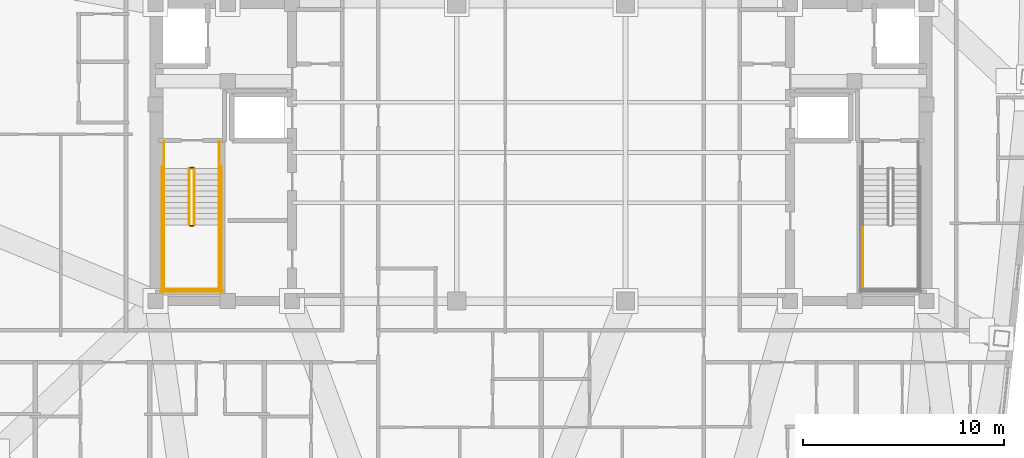
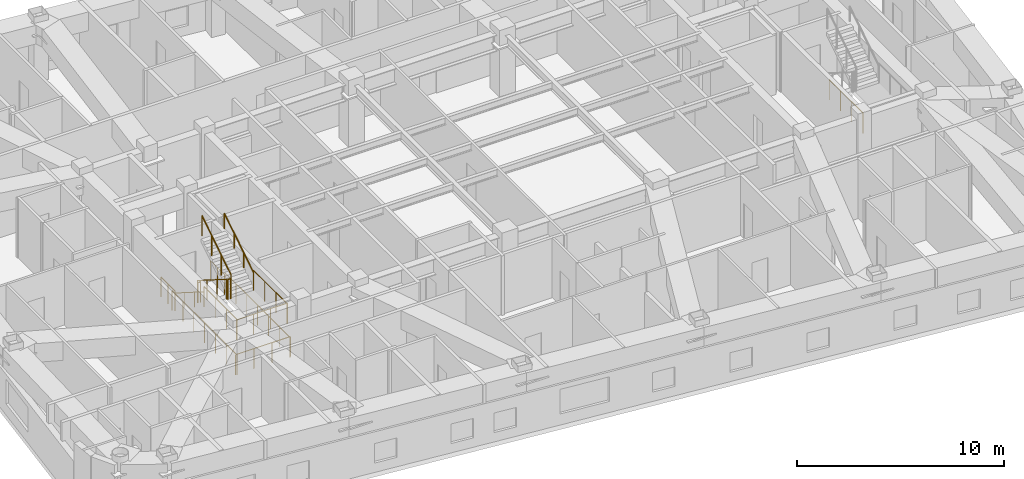
# One storey, part 11 of 12: 15 railings.
"""IFC4 building model written with IfcOpenShell, lengths in metres."""

import ifcopenshell
import ifcopenshell.guid

model = None  # the IFC model being written
_history = None  # IfcOwnerHistory: only IFC2X3 demands one
_inside = {}  # id of a spatial element -> (the spatial element, [elements in it])
_under = {}  # id of a project, library or spatial element -> (it, [spatial elements below it])
_declared = {}  # id of a project -> (the project, [libraries it declares])
_typed = {}  # id of a type object -> (the type object, [elements of that type])
_made_of = {}  # id of a material, layer set ... -> (it, [elements and type objects made of it])


def new_model(schema):
    """Start an empty IFC model of exactly this schema.

    Asked for "IFC4X3", IfcOpenShell would pick the latest addendum, in which some entities
    have other attributes; the version numbers below select the first issue.
    IFC2X3 requires an IfcOwnerHistory on every rooted entity: one is made here for all.
    """
    global model, _history
    if schema == "IFC4X3":
        model = ifcopenshell.file(schema_version=(4, 3, 0, 0))
    else:
        model = ifcopenshell.file(schema=schema)
    _inside.clear()
    _under.clear()
    _declared.clear()
    _typed.clear()
    _made_of.clear()
    _history = None
    if model.schema == "IFC2X3":
        org = make("IfcOrganization", Name="unknown")
        user = make(
            "IfcPersonAndOrganization",
            ThePerson=make("IfcPerson", FamilyName="unknown"),
            TheOrganization=org,
        )
        app = make(
            "IfcApplication",
            ApplicationDeveloper=org,
            Version="unknown",
            ApplicationFullName="unknown",
            ApplicationIdentifier="unknown",
        )
        _history = make(
            "IfcOwnerHistory",
            OwningUser=user,
            OwningApplication=app,
            ChangeAction="ADDED",
            CreationDate=0,
        )
    return model


def make(cls, **values):
    """One entity of the class cls with the attributes given. An attribute that is None is left unset."""
    return model.create_entity(
        cls, **{name: value for name, value in values.items() if value is not None}
    )


def rooted(cls, **values):
    """An entity with a GlobalId (a new one), such as an element, a storey or a relation."""
    return make(cls, GlobalId=ifcopenshell.guid.new(), OwnerHistory=_history, **values)


def si_unit(unit_type, name, prefix=None):
    """IfcSIUnit, for example si_unit("LENGTHUNIT", "METRE", prefix="MILLI")."""
    return make("IfcSIUnit", UnitType=unit_type, Prefix=prefix, Name=name)


def assignment(units):
    """IfcUnitAssignment: the units of a project."""
    return None if units is None else make("IfcUnitAssignment", Units=units)


def point(xyz):
    """IfcCartesianPoint."""
    return None if xyz is None else make("IfcCartesianPoint", Coordinates=xyz)


def direction(xyz):
    """IfcDirection."""
    return None if xyz is None else make("IfcDirection", DirectionRatios=xyz)


def frame(location, z_axis=None, x_axis=None):
    """IfcAxis2Placement3D, a coordinate frame: its origin and axes. An axis left out is left unset."""
    return make(
        "IfcAxis2Placement3D",
        Location=point(location),
        Axis=direction(z_axis),
        RefDirection=direction(x_axis),
    )


def frame_2d(location, x_axis=None):
    """IfcAxis2Placement2D, a coordinate frame in the plane: its origin and x axis."""
    return make(
        "IfcAxis2Placement2D", Location=point(location), RefDirection=direction(x_axis)
    )


def origin():
    """The frame at (0, 0, 0) with its axes left unset."""
    return frame((0.0, 0.0, 0.0))


def origin_2d():
    """The frame at (0, 0) in the plane with its x axis left unset."""
    return frame_2d((0.0, 0.0))


def place(relative_to, where):
    """IfcLocalPlacement: puts the frame where relative to a parent placement (None: the world)."""
    return make(
        "IfcLocalPlacement", PlacementRelTo=relative_to, RelativePlacement=where
    )


def context(
    kind, dimensions, precision=None, world=None, true_north=None, identifier=None
):
    """IfcGeometricRepresentationContext, for example the 3D "Model" context."""
    return make(
        "IfcGeometricRepresentationContext",
        ContextIdentifier=identifier,
        ContextType=kind,
        CoordinateSpaceDimension=dimensions,
        Precision=precision,
        WorldCoordinateSystem=world,
        TrueNorth=true_north,
    )


def subcontext(parent, identifier, kind, view, scale=None):
    """IfcGeometricRepresentationSubContext, for example "Body" below "Model"."""
    return make(
        "IfcGeometricRepresentationSubContext",
        ContextIdentifier=identifier,
        ContextType=kind,
        ParentContext=parent,
        TargetScale=scale,
        TargetView=view,
    )


def project(units=None, contexts=None):
    """IfcProject with its units and contexts."""
    return rooted(
        "IfcProject",
        Name="project",
        RepresentationContexts=contexts,
        UnitsInContext=assignment(units),
    )


def spatial(cls, under=None, at=None, **own):
    """A site, building, storey or space (cls), placed at a placement, below another one or the project."""
    s = rooted(cls, ObjectPlacement=at, **own)
    if under is not None:
        _under.setdefault(under.id(), (under, []))[1].append(s)
    return s


def profile(cls, at=None, kind="AREA", **sizes):
    """A parametric profile (cls). Its sizes go by their IFC names, for example OverallWidth=200.0."""
    return make(cls, ProfileType=kind, Position=at, **sizes)


def circle(**sizes):
    """IfcCircleProfileDef."""
    return profile("IfcCircleProfileDef", **sizes)


def extrude(swept, where, along, depth):
    """IfcExtrudedAreaSolid: the profile swept, set in the frame where, extruded along a direction by depth."""
    return make(
        "IfcExtrudedAreaSolid",
        SweptArea=swept,
        Position=where,
        ExtrudedDirection=direction(along),
        Depth=depth,
    )


def shape(context_of_items, identifier, shape_type, items):
    """IfcShapeRepresentation: the items that make up one representation, for example the "Body"."""
    return make(
        "IfcShapeRepresentation",
        ContextOfItems=context_of_items,
        RepresentationIdentifier=identifier,
        RepresentationType=shape_type,
        Items=items,
    )


def material(Name=None, Category=None):
    """IfcMaterial."""
    return make("IfcMaterial", Name=Name, Category=Category)


def made_of(thing, what):
    """Note that an element or type object is made of a material, layer set ...; save() writes the relation."""
    if what is not None:
        _made_of.setdefault(what.id(), (what, []))[1].append(thing)
    return thing


def type_object(cls, material=None, **own):
    """A type object (cls), such as IfcWallType, which elements share."""
    return made_of(rooted(cls, **own), material)


def element(
    cls,
    number,
    at=None,
    inside=None,
    cuts=None,
    type_object=None,
    material=None,
    context=None,
    identifier="Body",
    shape_type=None,
    held_by="IfcProductDefinitionShape",
    body=None,
    shapes=None,
    **own,
):
    """One element of the class cls, such as IfcWall. Its Tag is "e" and its number.

    at: its placement. inside: the storey or other place that contains it. cuts: it is an
    opening in that element (IfcRelVoidsElement). A single representation is given by context,
    identifier, shape_type and body (its items); several are given by shapes. held_by: the class
    of the entity that holds the representations. save() writes the other relations.
    """
    e = rooted(cls, Tag="e%d" % number, ObjectPlacement=at, **own)
    if body is not None:
        shapes = [shape(context, identifier, shape_type, body)]
    if shapes is not None:
        e.Representation = make(held_by, Representations=shapes)
    if inside is not None:
        _inside.setdefault(inside.id(), (inside, []))[1].append(e)
    if cuts is not None:
        rooted(
            "IfcRelVoidsElement", RelatingBuildingElement=cuts, RelatedOpeningElement=e
        )
    if type_object is not None:
        _typed.setdefault(type_object.id(), (type_object, []))[1].append(e)
    return made_of(e, material)


def aggregate(whole, parts):
    """IfcRelAggregates: a whole, such as a stair, and the parts it consists of."""
    return rooted("IfcRelAggregates", RelatingObject=whole, RelatedObjects=parts)


def save(model, path):
    """Write the relations noted so far, then the file.

    IfcRelAggregates (storeys below a building ...), IfcRelContainedInSpatialStructure (elements
    in a storey), IfcRelDefinesByType, IfcRelAssociatesMaterial and IfcRelDeclares: one each for
    every whole, place, type object, material and project.
    """
    for whole, parts in _under.values():
        aggregate(whole, parts)
    for where, things in _inside.values():
        rooted(
            "IfcRelContainedInSpatialStructure",
            RelatedElements=things,
            RelatingStructure=where,
        )
    for kind, things in _typed.values():
        rooted("IfcRelDefinesByType", RelatedObjects=things, RelatingType=kind)
    for what, things in _made_of.values():
        rooted("IfcRelAssociatesMaterial", RelatedObjects=things, RelatingMaterial=what)
    for by, libraries in _declared.values():
        rooted("IfcRelDeclares", RelatingContext=by, RelatedDefinitions=libraries)
    model.write(path)


model = new_model("IFC4")

# Units and contexts
model_context = context("Model", 3, precision=1e-05, world=origin(), true_north=direction((0.0, 1.0)))
body_context = subcontext(model_context, "Body", "Model", "MODEL_VIEW")
ifc_project = project(units=[si_unit("LENGTHUNIT", "METRE"), si_unit("AREAUNIT", "SQUARE_METRE"), si_unit("VOLUMEUNIT", "CUBIC_METRE"), si_unit("PLANEANGLEUNIT", "RADIAN"), si_unit("MASSUNIT", "GRAM", prefix="KILO")], contexts=[model_context])

# Site, building, storey
site_placement = place(None, origin())
site = spatial("IfcSite", under=ifc_project, at=site_placement, CompositionType="ELEMENT")
building_placement = place(site_placement, origin())
building = spatial("IfcBuilding", under=site, at=building_placement, Name="Voryun Gate Residences", CompositionType="ELEMENT")
storey_placement = place(building_placement, frame((0.0, 0.0, 306.800048828125)))
storey = spatial("IfcBuildingStorey", under=building, at=storey_placement, Name="L76", CompositionType="ELEMENT", Elevation=306.800048828125)

# Railings
ifc_material_1 = material(Name="Painted steel", Category="steel")
railing_type_1 = type_object("IfcRailingType", Name="RAIL_STAIR_GUARD_1200", PredefinedType="GUARDRAIL", material=ifc_material_1)
railing_1_placement = place(storey_placement, frame((-17.52490234375, -0.800048828125, 0.17724609375)))
element("IfcRailing", 1, at=railing_1_placement, inside=storey, type_object=railing_type_1, Name="L76 ST-W1 stair guard 1", PredefinedType="GUARDRAIL", context=body_context, shape_type="SweptSolid", body=[
    extrude(circle(Radius=0.02392578125, at=origin_2d()), frame((0.0, 0.0, 1.17578125), z_axis=(0.0, -0.844908973607, 0.534910110503), x_axis=(1.0, 0.0, 0.0)), (0.0, 0.0, 1.0), 3.31396484375),
    extrude(circle(Radius=0.02099609375, at=origin_2d()), origin(), (0.0, 0.0, 1.0), 1.15185546875),
    extrude(circle(Radius=0.02099609375, at=origin_2d()), frame((0.0, -0.933349609375, 0.5908203125)), (0.0, 0.0, 1.0), 1.15185546875),
    extrude(circle(Radius=0.02099609375, at=origin_2d()), frame((0.0, -1.86669921875, 1.181884765625)), (0.0, 0.0, 1.0), 1.15185546875),
    extrude(circle(Radius=0.02099609375, at=origin_2d()), frame((0.0, -2.800048828125, 1.772705078125)), (0.0, 0.0, 1.0), 1.15185546875),
])
railing_2_placement = place(storey_placement, frame((-17.47509765625, -3.64990234375, 1.949951171875)))
element("IfcRailing", 2, at=railing_2_placement, inside=storey, type_object=railing_type_1, Name="L76 ST-W1 stair guard 2", PredefinedType="GUARDRAIL", context=body_context, shape_type="SweptSolid", body=[
    extrude(circle(Radius=0.02392578125, at=origin_2d()), frame((0.0, 0.0, 1.17578125), z_axis=(1.0, 0.0, 0.0), x_axis=(0.0, 1.0, 0.0)), (0.0, 0.0, 1.0), 0.150146484375),
    extrude(circle(Radius=0.02099609375, at=origin_2d()), origin(), (0.0, 0.0, 1.0), 1.15185546875),
    extrude(circle(Radius=0.02099609375, at=origin_2d()), frame((0.150146484375, 0.0, 0.0)), (0.0, 0.0, 1.0), 1.15185546875),
])
for number, where, name in (
    (3, (-18.77490234375, -3.60009765625, 1.949951171875), "L76 ST-W1 stair guard 3"),
    (4, (-16.02490234375, -3.60009765625, 1.949951171875), "L76 ST-W1 stair guard 4"),
):
    element("IfcRailing", number, at=place(storey_placement, frame(where)), inside=storey, type_object=railing_type_1, Name=name, PredefinedType="GUARDRAIL", context=body_context, shape_type="SweptSolid", body=[
        extrude(circle(Radius=0.02392578125, at=origin_2d()), frame((0.0, 0.0, 1.17578125), z_axis=(0.0, -1.0, 0.0), x_axis=(1.0, 0.0, 0.0)), (0.0, 0.0, 1.0), 3.25),
        extrude(circle(Radius=0.02099609375, at=origin_2d()), origin(), (0.0, 0.0, 1.0), 1.15185546875),
        extrude(circle(Radius=0.02099609375, at=origin_2d()), frame((0.0, -1.083251953125, 0.0)), (0.0, 0.0, 1.0), 1.15185546875),
        extrude(circle(Radius=0.02099609375, at=origin_2d()), frame((0.0, -2.166748046875, 0.0)), (0.0, 0.0, 1.0), 1.15185546875),
        extrude(circle(Radius=0.02099609375, at=origin_2d()), frame((0.0, -3.25, 0.0)), (0.0, 0.0, 1.0), 1.15185546875),
    ])
railing_3_placement = place(storey_placement, frame((-18.824951171875, -6.800048828125, 1.949951171875)))
element("IfcRailing", 5, at=railing_3_placement, inside=storey, type_object=railing_type_1, Name="L76 ST-W1 stair guard 5", PredefinedType="GUARDRAIL", context=body_context, shape_type="SweptSolid", body=[
    extrude(circle(Radius=0.02392578125, at=origin_2d()), frame((0.0, 0.0, 1.17578125), z_axis=(1.0, 0.0, 0.0), x_axis=(0.0, 1.0, 0.0)), (0.0, 0.0, 1.0), 2.849853515625),
    extrude(circle(Radius=0.02099609375, at=origin_2d()), origin(), (0.0, 0.0, 1.0), 1.15185546875),
    extrude(circle(Radius=0.02099609375, at=origin_2d()), frame((0.949951171875, 0.0, 0.0)), (0.0, 0.0, 1.0), 1.15185546875),
    extrude(circle(Radius=0.02099609375, at=origin_2d()), frame((1.89990234375, 0.0, 0.0)), (0.0, 0.0, 1.0), 1.15185546875),
    extrude(circle(Radius=0.02099609375, at=origin_2d()), frame((2.849853515625, 0.0, 0.0)), (0.0, 0.0, 1.0), 1.15185546875),
])
railing_4_placement = place(storey_placement, frame((-17.27490234375, -3.60009765625, 2.127197265625)))
element("IfcRailing", 6, at=railing_4_placement, inside=storey, type_object=railing_type_1, Name="L76 ST-W1 stair guard 6", PredefinedType="GUARDRAIL", context=body_context, shape_type="SweptSolid", body=[
    extrude(circle(Radius=0.02392578125, at=origin_2d()), frame((0.0, 0.0, 1.17578125), z_axis=(0.0, 0.844908973607, 0.534910110503), x_axis=(-1.0, 0.0, 0.0)), (0.0, 0.0, 1.0), 3.31396484375),
    extrude(circle(Radius=0.02099609375, at=origin_2d()), origin(), (0.0, 0.0, 1.0), 1.15185546875),
    extrude(circle(Radius=0.02099609375, at=origin_2d()), frame((0.0, 0.933349609375, 0.5908203125)), (0.0, 0.0, 1.0), 1.15185546875),
    extrude(circle(Radius=0.02099609375, at=origin_2d()), frame((0.0, 1.86669921875, 1.181884765625)), (0.0, 0.0, 1.0), 1.15185546875),
    extrude(circle(Radius=0.02099609375, at=origin_2d()), frame((0.0, 2.800048828125, 1.772705078125)), (0.0, 0.0, 1.0), 1.15185546875),
])
railing_5_placement = place(storey_placement, frame((-17.47509765625, -0.75, 0.0)))
element("IfcRailing", 7, at=railing_5_placement, inside=storey, type_object=railing_type_1, Name="L76 ST-W1 stair guard 7", PredefinedType="GUARDRAIL", context=body_context, shape_type="SweptSolid", body=[
    extrude(circle(Radius=0.02392578125, at=origin_2d()), frame((0.0, 0.0, 1.17578125), z_axis=(1.0, 0.0, 0.0), x_axis=(0.0, 1.0, 0.0)), (0.0, 0.0, 1.0), 0.150146484375),
    extrude(circle(Radius=0.02099609375, at=origin_2d()), origin(), (0.0, 0.0, 1.0), 1.15185546875),
    extrude(circle(Radius=0.02099609375, at=origin_2d()), frame((0.150146484375, 0.0, 0.0)), (0.0, 0.0, 1.0), 1.15185546875),
])
for number, where, name in (
    (8, (-18.77490234375, 0.550048828125, 0.0), "L76 ST-W1 stair guard 8"),
    (9, (-16.02490234375, 0.550048828125, 0.0), "L76 ST-W1 stair guard 9"),
):
    element("IfcRailing", number, at=place(storey_placement, frame(where)), inside=storey, type_object=railing_type_1, Name=name, PredefinedType="GUARDRAIL", context=body_context, shape_type="SweptSolid", body=[
        extrude(circle(Radius=0.02392578125, at=origin_2d()), frame((0.0, 0.0, 1.17578125), z_axis=(0.0, -1.0, 0.0), x_axis=(1.0, 0.0, 0.0)), (0.0, 0.0, 1.0), 1.35009765625),
        extrude(circle(Radius=0.02099609375, at=origin_2d()), origin(), (0.0, 0.0, 1.0), 1.15185546875),
        extrude(circle(Radius=0.02099609375, at=origin_2d()), frame((0.0, -0.675048828125, 0.0)), (0.0, 0.0, 1.0), 1.15185546875),
        extrude(circle(Radius=0.02099609375, at=origin_2d()), frame((0.0, -1.35009765625, 0.0)), (0.0, 0.0, 1.0), 1.15185546875),
    ])
for number, where, name in (
    (10, (-18.875, -0.699951171875, 0.0), "L76 ST-W1 stair guard 10"),
    (11, (-15.925048828125, -0.699951171875, 0.0), "L76 ST-W1 stair guard 11"),
):
    element("IfcRailing", number, at=place(storey_placement, frame(where)), inside=storey, type_object=railing_type_1, Name=name, PredefinedType="GUARDRAIL", context=body_context, shape_type="SweptSolid", body=[
        extrude(circle(Radius=0.02392578125, at=origin_2d()), frame((0.0, 0.0, 1.17578125), z_axis=(0.0, -1.0, 0.0), x_axis=(1.0, 0.0, 0.0)), (0.0, 0.0, 1.0), 6.25),
        extrude(circle(Radius=0.02099609375, at=origin_2d()), origin(), (0.0, 0.0, 1.0), 1.15185546875),
        extrude(circle(Radius=0.02099609375, at=origin_2d()), frame((0.0, -1.041748046875, 0.0)), (0.0, 0.0, 1.0), 1.15185546875),
        extrude(circle(Radius=0.02099609375, at=origin_2d()), frame((0.0, -2.083251953125, 0.0)), (0.0, 0.0, 1.0), 1.15185546875),
        extrude(circle(Radius=0.02099609375, at=origin_2d()), frame((0.0, -3.125, 0.0)), (0.0, 0.0, 1.0), 1.15185546875),
        extrude(circle(Radius=0.02099609375, at=origin_2d()), frame((0.0, -4.166748046875, 0.0)), (0.0, 0.0, 1.0), 1.15185546875),
        extrude(circle(Radius=0.02099609375, at=origin_2d()), frame((0.0, -5.208251953125, 0.0)), (0.0, 0.0, 1.0), 1.15185546875),
        extrude(circle(Radius=0.02099609375, at=origin_2d()), frame((0.0, -6.25, 0.0)), (0.0, 0.0, 1.0), 1.15185546875),
    ])
railing_6_placement = place(storey_placement, frame((-18.925048828125, -6.89990234375, 0.0)))
element("IfcRailing", 12, at=railing_6_placement, inside=storey, type_object=railing_type_1, Name="L76 ST-W1 stair guard 12", PredefinedType="GUARDRAIL", context=body_context, shape_type="SweptSolid", body=[
    extrude(circle(Radius=0.02392578125, at=origin_2d()), frame((0.0, 0.0, 1.17578125), z_axis=(1.0, 0.0, 0.0), x_axis=(0.0, 1.0, 0.0)), (0.0, 0.0, 1.0), 3.050048828125),
    extrude(circle(Radius=0.02099609375, at=origin_2d()), origin(), (0.0, 0.0, 1.0), 1.15185546875),
    extrude(circle(Radius=0.02099609375, at=origin_2d()), frame((1.0166015625, 0.0, 0.0)), (0.0, 0.0, 1.0), 1.15185546875),
    extrude(circle(Radius=0.02099609375, at=origin_2d()), frame((2.033447265625, 0.0, 0.0)), (0.0, 0.0, 1.0), 1.15185546875),
    extrude(circle(Radius=0.02099609375, at=origin_2d()), frame((3.050048828125, 0.0, 0.0)), (0.0, 0.0, 1.0), 1.15185546875),
])
railing_7_placement = place(storey_placement, frame((16.02490234375, -3.60009765625, 1.949951171875)))
element("IfcRailing", 13, at=railing_7_placement, inside=storey, type_object=railing_type_1, Name="L76 ST-E1 stair guard 3", PredefinedType="GUARDRAIL", context=body_context, shape_type="SweptSolid", body=[
    extrude(circle(Radius=0.02392578125, at=origin_2d()), frame((0.0, 0.0, 1.17578125), z_axis=(0.0, -1.0, 0.0), x_axis=(1.0, 0.0, 0.0)), (0.0, 0.0, 1.0), 3.25),
    extrude(circle(Radius=0.02099609375, at=origin_2d()), origin(), (0.0, 0.0, 1.0), 1.15185546875),
    extrude(circle(Radius=0.02099609375, at=origin_2d()), frame((0.0, -1.083251953125, 0.0)), (0.0, 0.0, 1.0), 1.15185546875),
    extrude(circle(Radius=0.02099609375, at=origin_2d()), frame((0.0, -2.166748046875, 0.0)), (0.0, 0.0, 1.0), 1.15185546875),
    extrude(circle(Radius=0.02099609375, at=origin_2d()), frame((0.0, -3.25, 0.0)), (0.0, 0.0, 1.0), 1.15185546875),
])
ifc_material_2 = material(Name="Painted steel", Category="steel")
railing_type_2 = type_object("IfcRailingType", Name="RAIL_STAIR_HANDRAIL_900", PredefinedType="HANDRAIL", material=ifc_material_2)
railing_8_placement = place(storey_placement, frame((-18.77490234375, -0.800048828125, 0.17724609375)))
element("IfcRailing", 14, at=railing_8_placement, inside=storey, type_object=railing_type_2, Name="L76 ST-W1 stair handrail 1", PredefinedType="HANDRAIL", context=body_context, shape_type="SweptSolid", body=[
    extrude(circle(Radius=0.02392578125, at=origin_2d()), frame((0.0, 0.0, 0.8759765625), z_axis=(0.0, -0.844908973607, 0.534910110503), x_axis=(1.0, 0.0, 0.0)), (0.0, 0.0, 1.0), 3.31396484375),
    extrude(circle(Radius=0.02099609375, at=origin_2d()), origin(), (0.0, 0.0, 1.0), 0.851806640625),
    extrude(circle(Radius=0.02099609375, at=origin_2d()), frame((0.0, -0.933349609375, 0.5908203125)), (0.0, 0.0, 1.0), 0.851806640625),
    extrude(circle(Radius=0.02099609375, at=origin_2d()), frame((0.0, -1.86669921875, 1.181884765625)), (0.0, 0.0, 1.0), 0.851806640625),
    extrude(circle(Radius=0.02099609375, at=origin_2d()), frame((0.0, -2.800048828125, 1.772705078125)), (0.0, 0.0, 1.0), 0.851806640625),
])
railing_9_placement = place(storey_placement, frame((-16.02490234375, -3.60009765625, 2.127197265625)))
element("IfcRailing", 15, at=railing_9_placement, inside=storey, type_object=railing_type_2, Name="L76 ST-W1 stair handrail 2", PredefinedType="HANDRAIL", context=body_context, shape_type="SweptSolid", body=[
    extrude(circle(Radius=0.02392578125, at=origin_2d()), frame((0.0, 0.0, 0.8759765625), z_axis=(0.0, 0.844908973607, 0.534910110503), x_axis=(-1.0, 0.0, 0.0)), (0.0, 0.0, 1.0), 3.31396484375),
    extrude(circle(Radius=0.02099609375, at=origin_2d()), origin(), (0.0, 0.0, 1.0), 0.851806640625),
    extrude(circle(Radius=0.02099609375, at=origin_2d()), frame((0.0, 0.933349609375, 0.5908203125)), (0.0, 0.0, 1.0), 0.851806640625),
    extrude(circle(Radius=0.02099609375, at=origin_2d()), frame((0.0, 1.86669921875, 1.181884765625)), (0.0, 0.0, 1.0), 0.851806640625),
    extrude(circle(Radius=0.02099609375, at=origin_2d()), frame((0.0, 2.800048828125, 1.772705078125)), (0.0, 0.0, 1.0), 0.851806640625),
])

save(model, "model.ifc")
